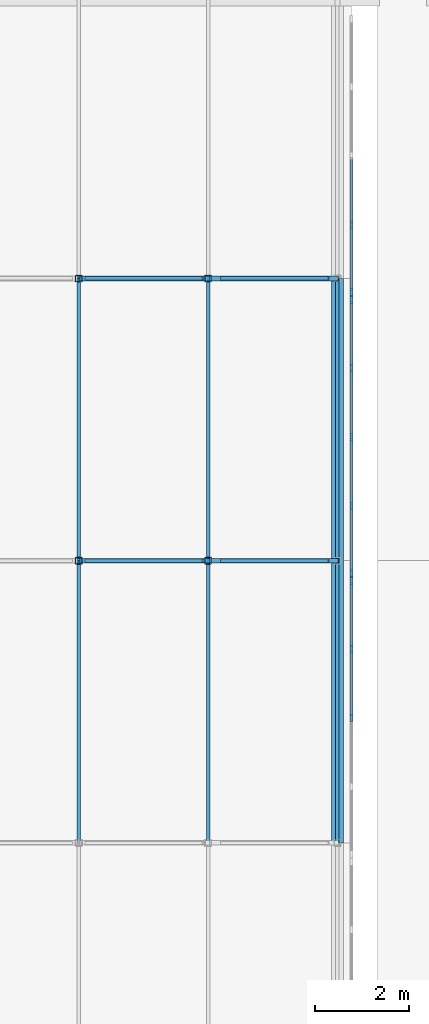
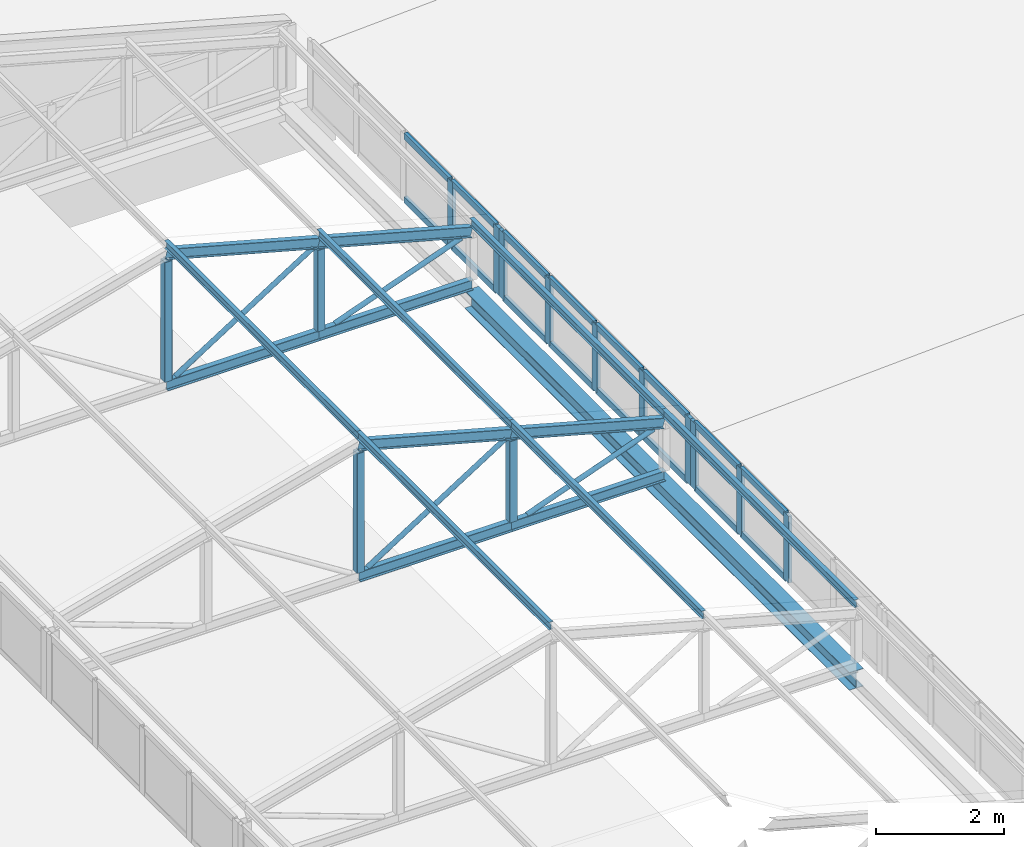
# One storey, part 58 of 94: 48 members, 1 beam, 3 elements without a shape of their own.
"""IFC4 building model written with IfcOpenShell, lengths in metres."""

import ifcopenshell
import ifcopenshell.guid

model = None  # the IFC model being written
_history = None  # IfcOwnerHistory: only IFC2X3 demands one
_inside = {}  # id of a spatial element -> (the spatial element, [elements in it])
_under = {}  # id of a project, library or spatial element -> (it, [spatial elements below it])
_declared = {}  # id of a project -> (the project, [libraries it declares])
_typed = {}  # id of a type object -> (the type object, [elements of that type])
_made_of = {}  # id of a material, layer set ... -> (it, [elements and type objects made of it])


def new_model(schema):
    """Start an empty IFC model of exactly this schema.

    Asked for "IFC4X3", IfcOpenShell would pick the latest addendum, in which some entities
    have other attributes; the version numbers below select the first issue.
    IFC2X3 requires an IfcOwnerHistory on every rooted entity: one is made here for all.
    """
    global model, _history
    if schema == "IFC4X3":
        model = ifcopenshell.file(schema_version=(4, 3, 0, 0))
    else:
        model = ifcopenshell.file(schema=schema)
    _inside.clear()
    _under.clear()
    _declared.clear()
    _typed.clear()
    _made_of.clear()
    _history = None
    if model.schema == "IFC2X3":
        org = make("IfcOrganization", Name="unknown")
        user = make(
            "IfcPersonAndOrganization",
            ThePerson=make("IfcPerson", FamilyName="unknown"),
            TheOrganization=org,
        )
        app = make(
            "IfcApplication",
            ApplicationDeveloper=org,
            Version="unknown",
            ApplicationFullName="unknown",
            ApplicationIdentifier="unknown",
        )
        _history = make(
            "IfcOwnerHistory",
            OwningUser=user,
            OwningApplication=app,
            ChangeAction="ADDED",
            CreationDate=0,
        )
    return model


def make(cls, **values):
    """One entity of the class cls with the attributes given. An attribute that is None is left unset."""
    return model.create_entity(
        cls, **{name: value for name, value in values.items() if value is not None}
    )


def rooted(cls, **values):
    """An entity with a GlobalId (a new one), such as an element, a storey or a relation."""
    return make(cls, GlobalId=ifcopenshell.guid.new(), OwnerHistory=_history, **values)


def si_unit(unit_type, name, prefix=None):
    """IfcSIUnit, for example si_unit("LENGTHUNIT", "METRE", prefix="MILLI")."""
    return make("IfcSIUnit", UnitType=unit_type, Prefix=prefix, Name=name)


def assignment(units):
    """IfcUnitAssignment: the units of a project."""
    return None if units is None else make("IfcUnitAssignment", Units=units)


def point(xyz):
    """IfcCartesianPoint."""
    return None if xyz is None else make("IfcCartesianPoint", Coordinates=xyz)


def direction(xyz):
    """IfcDirection."""
    return None if xyz is None else make("IfcDirection", DirectionRatios=xyz)


def frame(location, z_axis=None, x_axis=None):
    """IfcAxis2Placement3D, a coordinate frame: its origin and axes. An axis left out is left unset."""
    return make(
        "IfcAxis2Placement3D",
        Location=point(location),
        Axis=direction(z_axis),
        RefDirection=direction(x_axis),
    )


def frame_2d(location, x_axis=None):
    """IfcAxis2Placement2D, a coordinate frame in the plane: its origin and x axis."""
    return make(
        "IfcAxis2Placement2D", Location=point(location), RefDirection=direction(x_axis)
    )


def origin():
    """The frame at (0, 0, 0) with its axes left unset."""
    return frame((0.0, 0.0, 0.0))


def origin_2d():
    """The frame at (0, 0) in the plane with its x axis left unset."""
    return frame_2d((0.0, 0.0))


def place(relative_to, where):
    """IfcLocalPlacement: puts the frame where relative to a parent placement (None: the world)."""
    return make(
        "IfcLocalPlacement", PlacementRelTo=relative_to, RelativePlacement=where
    )


def context(
    kind, dimensions, precision=None, world=None, true_north=None, identifier=None
):
    """IfcGeometricRepresentationContext, for example the 3D "Model" context."""
    return make(
        "IfcGeometricRepresentationContext",
        ContextIdentifier=identifier,
        ContextType=kind,
        CoordinateSpaceDimension=dimensions,
        Precision=precision,
        WorldCoordinateSystem=world,
        TrueNorth=true_north,
    )


def subcontext(parent, identifier, kind, view, scale=None):
    """IfcGeometricRepresentationSubContext, for example "Body" below "Model"."""
    return make(
        "IfcGeometricRepresentationSubContext",
        ContextIdentifier=identifier,
        ContextType=kind,
        ParentContext=parent,
        TargetScale=scale,
        TargetView=view,
    )


def project(units=None, contexts=None):
    """IfcProject with its units and contexts."""
    return rooted(
        "IfcProject",
        Name="project",
        RepresentationContexts=contexts,
        UnitsInContext=assignment(units),
    )


def spatial(cls, under=None, at=None, **own):
    """A site, building, storey or space (cls), placed at a placement, below another one or the project."""
    s = rooted(cls, ObjectPlacement=at, **own)
    if under is not None:
        _under.setdefault(under.id(), (under, []))[1].append(s)
    return s


def profile(cls, at=None, kind="AREA", **sizes):
    """A parametric profile (cls). Its sizes go by their IFC names, for example OverallWidth=200.0."""
    return make(cls, ProfileType=kind, Position=at, **sizes)


def rectangle(**sizes):
    """IfcRectangleProfileDef."""
    return profile("IfcRectangleProfileDef", **sizes)


def hollow_rectangle(**sizes):
    """IfcRectangleHollowProfileDef."""
    return profile("IfcRectangleHollowProfileDef", **sizes)


def hollow_circle(**sizes):
    """IfcCircleHollowProfileDef."""
    return profile("IfcCircleHollowProfileDef", **sizes)


def i_section(**sizes):
    """IfcIShapeProfileDef."""
    return profile("IfcIShapeProfileDef", **sizes)


def extrude(swept, where, along, depth):
    """IfcExtrudedAreaSolid: the profile swept, set in the frame where, extruded along a direction by depth."""
    return make(
        "IfcExtrudedAreaSolid",
        SweptArea=swept,
        Position=where,
        ExtrudedDirection=direction(along),
        Depth=depth,
    )


def shape(context_of_items, identifier, shape_type, items):
    """IfcShapeRepresentation: the items that make up one representation, for example the "Body"."""
    return make(
        "IfcShapeRepresentation",
        ContextOfItems=context_of_items,
        RepresentationIdentifier=identifier,
        RepresentationType=shape_type,
        Items=items,
    )


def material(Name=None, Category=None):
    """IfcMaterial."""
    return make("IfcMaterial", Name=Name, Category=Category)


def layer(
    of_material, thickness, ventilated=None, Name=None, Category=None, Priority=None
):
    """IfcMaterialLayer: one layer of a wall or slab, of a material (None: an air gap)."""
    return make(
        "IfcMaterialLayer",
        Material=of_material,
        LayerThickness=thickness,
        IsVentilated=ventilated,
        Name=Name,
        Category=Category,
        Priority=Priority,
    )


def layer_set(layers, Name=None):
    """IfcMaterialLayerSet."""
    return make("IfcMaterialLayerSet", MaterialLayers=layers, LayerSetName=Name)


def material_profile(
    of_material, cross_section, Name=None, Category=None, Priority=None
):
    """IfcMaterialProfile: a cross section and its material."""
    return make(
        "IfcMaterialProfile",
        Name=Name,
        Material=of_material,
        Profile=cross_section,
        Priority=Priority,
        Category=Category,
    )


def profile_set(profiles, Name=None, composite=None):
    """IfcMaterialProfileSet."""
    return make(
        "IfcMaterialProfileSet",
        Name=Name,
        MaterialProfiles=profiles,
        CompositeProfile=composite,
    )


def made_of(thing, what):
    """Note that an element or type object is made of a material, layer set ...; save() writes the relation."""
    if what is not None:
        _made_of.setdefault(what.id(), (what, []))[1].append(thing)
    return thing


def type_object(cls, material=None, **own):
    """A type object (cls), such as IfcWallType, which elements share."""
    return made_of(rooted(cls, **own), material)


def element(
    cls,
    number,
    at=None,
    inside=None,
    cuts=None,
    type_object=None,
    material=None,
    context=None,
    identifier="Body",
    shape_type=None,
    held_by="IfcProductDefinitionShape",
    body=None,
    shapes=None,
    **own,
):
    """One element of the class cls, such as IfcWall. Its Tag is "e" and its number.

    at: its placement. inside: the storey or other place that contains it. cuts: it is an
    opening in that element (IfcRelVoidsElement). A single representation is given by context,
    identifier, shape_type and body (its items); several are given by shapes. held_by: the class
    of the entity that holds the representations. save() writes the other relations.
    """
    e = rooted(cls, Tag="e%d" % number, ObjectPlacement=at, **own)
    if body is not None:
        shapes = [shape(context, identifier, shape_type, body)]
    if shapes is not None:
        e.Representation = make(held_by, Representations=shapes)
    if inside is not None:
        _inside.setdefault(inside.id(), (inside, []))[1].append(e)
    if cuts is not None:
        rooted(
            "IfcRelVoidsElement", RelatingBuildingElement=cuts, RelatedOpeningElement=e
        )
    if type_object is not None:
        _typed.setdefault(type_object.id(), (type_object, []))[1].append(e)
    return made_of(e, material)


def aggregate(whole, parts):
    """IfcRelAggregates: a whole, such as a stair, and the parts it consists of."""
    return rooted("IfcRelAggregates", RelatingObject=whole, RelatedObjects=parts)


def save(model, path):
    """Write the relations noted so far, then the file.

    IfcRelAggregates (storeys below a building ...), IfcRelContainedInSpatialStructure (elements
    in a storey), IfcRelDefinesByType, IfcRelAssociatesMaterial and IfcRelDeclares: one each for
    every whole, place, type object, material and project.
    """
    for whole, parts in _under.values():
        aggregate(whole, parts)
    for where, things in _inside.values():
        rooted(
            "IfcRelContainedInSpatialStructure",
            RelatedElements=things,
            RelatingStructure=where,
        )
    for kind, things in _typed.values():
        rooted("IfcRelDefinesByType", RelatedObjects=things, RelatingType=kind)
    for what, things in _made_of.values():
        rooted("IfcRelAssociatesMaterial", RelatedObjects=things, RelatingMaterial=what)
    for by, libraries in _declared.values():
        rooted("IfcRelDeclares", RelatingContext=by, RelatedDefinitions=libraries)
    model.write(path)


model = new_model("IFC4")

# Units and contexts
model_context = context("Model", 3, precision=1e-05, world=origin(), true_north=direction((0.0, 1.0)))
body_context = subcontext(model_context, "Body", "Model", "MODEL_VIEW")
ifc_project = project(units=[si_unit("LENGTHUNIT", "METRE"), si_unit("AREAUNIT", "SQUARE_METRE"), si_unit("VOLUMEUNIT", "CUBIC_METRE"), si_unit("PLANEANGLEUNIT", "RADIAN"), si_unit("MASSUNIT", "GRAM", prefix="KILO")], contexts=[model_context])

# Site, building, storey
site_placement = place(None, origin())
site = spatial("IfcSite", under=ifc_project, at=site_placement, CompositionType="ELEMENT")
building_placement = place(site_placement, origin())
building = spatial("IfcBuilding", under=site, at=building_placement, Name="Lilac Gate Convention Centre", CompositionType="ELEMENT")
storey_placement = place(building_placement, frame((0.0, 0.0, 21.0)))
storey = spatial("IfcBuildingStorey", under=building, at=storey_placement, Name="L04", CompositionType="ELEMENT", Elevation=21.0)

# Curtain wall, members
ifc_material_1 = material(Name="Aluminium framed double glazing", Category="aluminium")
ifc_layer = layer(ifc_material_1, 0.199951171875)
ifc_layer_set = layer_set([ifc_layer], Name="Aluminium framed double glazing")
curtain_wall_type = type_object("IfcCurtainWallType", Name="Unitised curtain wall 1500", PredefinedType="NOTDEFINED", material=ifc_layer_set)
curtain_wall_1_placement = place(storey_placement, origin())
curtain_wall_1 = element("IfcCurtainWall", 1, at=curtain_wall_1_placement, inside=storey, type_object=curtain_wall_type, Name="Lantern clerestory E 30", PredefinedType="NOTDEFINED")
ifc_material_2 = material(Name="Aluminium alloy 6063", Category="aluminium")
ifc_material_profile_1 = material_profile(ifc_material_2, rectangle(XDim=0.06005859375, YDim=0.159912109375, at=origin_2d()), Name="Curtain wall mullion 60 x 160")
ifc_profile_set_1 = profile_set([ifc_material_profile_1], Name="Aluminium alloy 6063")
member_type_1 = type_object("IfcMemberType", Name="Curtain wall mullion 60 x 160", PredefinedType="MULLION", material=ifc_profile_set_1)
member_1_placement = place(storey_placement, frame((28.89990234375, 206.66259765625, 0.0), z_axis=(0.0, 0.0, 1.0), x_axis=(-1.0, 0.0, 0.0)))
member_1 = element("IfcMember", 2, at=member_1_placement, type_object=member_type_1, Name="CW mullion 3", PredefinedType="MULLION", context=body_context, shape_type="SweptSolid", body=[
    extrude(rectangle(XDim=0.06005859375, YDim=0.159912109375, at=origin_2d()), origin(), (0.0, 0.0, 1.0), 1.272216796875),
])
member_2_placement = place(storey_placement, frame((28.89990234375, 208.13134765625, 0.0), z_axis=(0.0, 0.0, 1.0), x_axis=(-1.0, 0.0, 0.0)))
member_2 = element("IfcMember", 3, at=member_2_placement, type_object=member_type_1, Name="CW mullion 4", PredefinedType="MULLION", context=body_context, shape_type="SweptSolid", body=[
    extrude(rectangle(XDim=0.06005859375, YDim=0.159912109375, at=origin_2d()), origin(), (0.0, 0.0, 1.0), 1.272216796875),
])
member_3_placement = place(storey_placement, frame((28.89990234375, 209.570068359375, 0.0), z_axis=(0.0, 0.0, 1.0), x_axis=(-1.0, 0.0, 0.0)))
member_3 = element("IfcMember", 4, at=member_3_placement, type_object=member_type_1, Name="CW mullion 5", PredefinedType="MULLION", context=body_context, shape_type="SweptSolid", body=[
    extrude(rectangle(XDim=0.06005859375, YDim=0.159912109375, at=origin_2d()), origin(), (0.0, 0.0, 1.0), 1.272216796875),
])

curtain_wall_2_placement = place(storey_placement, origin())
curtain_wall_2 = element("IfcCurtainWall", 5, at=curtain_wall_2_placement, inside=storey, type_object=curtain_wall_type, Name="Lantern clerestory E 31", PredefinedType="NOTDEFINED")
member_4_placement = place(storey_placement, frame((28.89990234375, 209.72998046875, 0.0), z_axis=(0.0, 0.0, 1.0), x_axis=(-1.0, 0.0, 0.0)))
member_4 = element("IfcMember", 6, at=member_4_placement, type_object=member_type_1, Name="CW mullion 1", PredefinedType="MULLION", context=body_context, shape_type="SweptSolid", body=[
    extrude(rectangle(XDim=0.06005859375, YDim=0.159912109375, at=origin_2d()), origin(), (0.0, 0.0, 1.0), 1.272216796875),
])
member_5_placement = place(storey_placement, frame((28.89990234375, 211.168701171875, 0.0), z_axis=(0.0, 0.0, 1.0), x_axis=(-1.0, 0.0, 0.0)))
member_5 = element("IfcMember", 7, at=member_5_placement, type_object=member_type_1, Name="CW mullion 2", PredefinedType="MULLION", context=body_context, shape_type="SweptSolid", body=[
    extrude(rectangle(XDim=0.06005859375, YDim=0.159912109375, at=origin_2d()), origin(), (0.0, 0.0, 1.0), 1.272216796875),
])
member_6_placement = place(storey_placement, frame((28.89990234375, 212.637451171875, 0.0), z_axis=(0.0, 0.0, 1.0), x_axis=(-1.0, 0.0, 0.0)))
member_6 = element("IfcMember", 8, at=member_6_placement, type_object=member_type_1, Name="CW mullion 3", PredefinedType="MULLION", context=body_context, shape_type="SweptSolid", body=[
    extrude(rectangle(XDim=0.06005859375, YDim=0.159912109375, at=origin_2d()), origin(), (0.0, 0.0, 1.0), 1.272216796875),
])
member_7_placement = place(storey_placement, frame((28.89990234375, 214.106201171875, 0.0), z_axis=(0.0, 0.0, 1.0), x_axis=(-1.0, 0.0, 0.0)))
member_7 = element("IfcMember", 9, at=member_7_placement, type_object=member_type_1, Name="CW mullion 4", PredefinedType="MULLION", context=body_context, shape_type="SweptSolid", body=[
    extrude(rectangle(XDim=0.06005859375, YDim=0.159912109375, at=origin_2d()), origin(), (0.0, 0.0, 1.0), 1.272216796875),
])
member_8_placement = place(storey_placement, frame((28.89990234375, 215.544921875, 0.0), z_axis=(0.0, 0.0, 1.0), x_axis=(-1.0, 0.0, 0.0)))
member_8 = element("IfcMember", 10, at=member_8_placement, type_object=member_type_1, Name="CW mullion 5", PredefinedType="MULLION", context=body_context, shape_type="SweptSolid", body=[
    extrude(rectangle(XDim=0.06005859375, YDim=0.159912109375, at=origin_2d()), origin(), (0.0, 0.0, 1.0), 1.272216796875),
])

curtain_wall_3_placement = place(storey_placement, origin())
curtain_wall_3 = element("IfcCurtainWall", 11, at=curtain_wall_3_placement, inside=storey, type_object=curtain_wall_type, Name="Lantern clerestory E 32", PredefinedType="NOTDEFINED")
member_9_placement = place(storey_placement, frame((28.89990234375, 215.705078125, 0.0), z_axis=(0.0, 0.0, 1.0), x_axis=(-1.0, 0.0, 0.0)))
member_9 = element("IfcMember", 12, at=member_9_placement, type_object=member_type_1, Name="CW mullion 1", PredefinedType="MULLION", context=body_context, shape_type="SweptSolid", body=[
    extrude(rectangle(XDim=0.06005859375, YDim=0.159912109375, at=origin_2d()), origin(), (0.0, 0.0, 1.0), 1.272216796875),
])
member_10_placement = place(storey_placement, frame((28.89990234375, 217.143798828125, 0.0), z_axis=(0.0, 0.0, 1.0), x_axis=(-1.0, 0.0, 0.0)))
member_10 = element("IfcMember", 13, at=member_10_placement, type_object=member_type_1, Name="CW mullion 2", PredefinedType="MULLION", context=body_context, shape_type="SweptSolid", body=[
    extrude(rectangle(XDim=0.06005859375, YDim=0.159912109375, at=origin_2d()), origin(), (0.0, 0.0, 1.0), 1.272216796875),
])

# Member
ifc_material_profile_2 = material_profile(ifc_material_2, rectangle(XDim=0.06005859375, YDim=0.1201171875, at=origin_2d()), Name="Curtain wall transom 60 x 120")
ifc_profile_set_2 = profile_set([ifc_material_profile_2], Name="Aluminium alloy 6063")
member_type_2 = type_object("IfcMemberType", Name="Curtain wall transom 60 x 120", PredefinedType="USERDEFINED", material=ifc_profile_set_2)
member_11_placement = place(storey_placement, frame((28.89990234375, 206.692626953125, 0.030029296875), z_axis=(0.0, 1.0, 0.0), x_axis=(-1.0, 0.0, 0.0)))
member_11 = element("IfcMember", 14, at=member_11_placement, type_object=member_type_2, Name="CW transom 3.1", ObjectType="TRANSOM", PredefinedType="USERDEFINED", context=body_context, shape_type="SweptSolid", body=[
    extrude(rectangle(XDim=0.06005859375, YDim=0.1201171875, at=origin_2d()), origin(), (0.0, 0.0, 1.0), 1.40869140625),
])

member_12_placement = place(storey_placement, frame((28.89990234375, 206.692626953125, 1.2421875), z_axis=(0.0, 1.0, 0.0), x_axis=(-1.0, 0.0, 0.0)))
member_12 = element("IfcMember", 15, at=member_12_placement, type_object=member_type_2, Name="CW transom 3.2", ObjectType="TRANSOM", PredefinedType="USERDEFINED", context=body_context, shape_type="SweptSolid", body=[
    extrude(rectangle(XDim=0.06005859375, YDim=0.1201171875, at=origin_2d()), origin(), (0.0, 0.0, 1.0), 1.40869140625),
])

member_13_placement = place(storey_placement, frame((28.89990234375, 208.161376953125, 0.030029296875), z_axis=(0.0, 1.0, 0.0), x_axis=(-1.0, 0.0, 0.0)))
member_13 = element("IfcMember", 16, at=member_13_placement, type_object=member_type_2, Name="CW transom 4.1", ObjectType="TRANSOM", PredefinedType="USERDEFINED", context=body_context, shape_type="SweptSolid", body=[
    extrude(rectangle(XDim=0.06005859375, YDim=0.1201171875, at=origin_2d()), origin(), (0.0, 0.0, 1.0), 1.378662109375),
])

member_14_placement = place(storey_placement, frame((28.89990234375, 208.161376953125, 1.2421875), z_axis=(0.0, 1.0, 0.0), x_axis=(-1.0, 0.0, 0.0)))
member_14 = element("IfcMember", 17, at=member_14_placement, type_object=member_type_2, Name="CW transom 4.2", ObjectType="TRANSOM", PredefinedType="USERDEFINED", context=body_context, shape_type="SweptSolid", body=[
    extrude(rectangle(XDim=0.06005859375, YDim=0.1201171875, at=origin_2d()), origin(), (0.0, 0.0, 1.0), 1.378662109375),
])

aggregate(curtain_wall_1, [member_1, member_2, member_3, member_11, member_12, member_13, member_14])

member_15_placement = place(storey_placement, frame((28.89990234375, 209.760009765625, 0.030029296875), z_axis=(0.0, 1.0, 0.0), x_axis=(-1.0, 0.0, 0.0)))
member_15 = element("IfcMember", 18, at=member_15_placement, type_object=member_type_2, Name="CW transom 1.1", ObjectType="TRANSOM", PredefinedType="USERDEFINED", context=body_context, shape_type="SweptSolid", body=[
    extrude(rectangle(XDim=0.06005859375, YDim=0.1201171875, at=origin_2d()), origin(), (0.0, 0.0, 1.0), 1.378662109375),
])

member_16_placement = place(storey_placement, frame((28.89990234375, 209.760009765625, 1.2421875), z_axis=(0.0, 1.0, 0.0), x_axis=(-1.0, 0.0, 0.0)))
member_16 = element("IfcMember", 19, at=member_16_placement, type_object=member_type_2, Name="CW transom 1.2", ObjectType="TRANSOM", PredefinedType="USERDEFINED", context=body_context, shape_type="SweptSolid", body=[
    extrude(rectangle(XDim=0.06005859375, YDim=0.1201171875, at=origin_2d()), origin(), (0.0, 0.0, 1.0), 1.378662109375),
])

member_17_placement = place(storey_placement, frame((28.89990234375, 211.19873046875, 0.030029296875), z_axis=(0.0, 1.0, 0.0), x_axis=(-1.0, 0.0, 0.0)))
member_17 = element("IfcMember", 20, at=member_17_placement, type_object=member_type_2, Name="CW transom 2.1", ObjectType="TRANSOM", PredefinedType="USERDEFINED", context=body_context, shape_type="SweptSolid", body=[
    extrude(rectangle(XDim=0.06005859375, YDim=0.1201171875, at=origin_2d()), origin(), (0.0, 0.0, 1.0), 1.40869140625),
])

member_18_placement = place(storey_placement, frame((28.89990234375, 211.19873046875, 1.2421875), z_axis=(0.0, 1.0, 0.0), x_axis=(-1.0, 0.0, 0.0)))
member_18 = element("IfcMember", 21, at=member_18_placement, type_object=member_type_2, Name="CW transom 2.2", ObjectType="TRANSOM", PredefinedType="USERDEFINED", context=body_context, shape_type="SweptSolid", body=[
    extrude(rectangle(XDim=0.06005859375, YDim=0.1201171875, at=origin_2d()), origin(), (0.0, 0.0, 1.0), 1.40869140625),
])

member_19_placement = place(storey_placement, frame((28.89990234375, 212.66748046875, 0.030029296875), z_axis=(0.0, 1.0, 0.0), x_axis=(-1.0, 0.0, 0.0)))
member_19 = element("IfcMember", 22, at=member_19_placement, type_object=member_type_2, Name="CW transom 3.1", ObjectType="TRANSOM", PredefinedType="USERDEFINED", context=body_context, shape_type="SweptSolid", body=[
    extrude(rectangle(XDim=0.06005859375, YDim=0.1201171875, at=origin_2d()), origin(), (0.0, 0.0, 1.0), 1.40869140625),
])

member_20_placement = place(storey_placement, frame((28.89990234375, 212.66748046875, 1.2421875), z_axis=(0.0, 1.0, 0.0), x_axis=(-1.0, 0.0, 0.0)))
member_20 = element("IfcMember", 23, at=member_20_placement, type_object=member_type_2, Name="CW transom 3.2", ObjectType="TRANSOM", PredefinedType="USERDEFINED", context=body_context, shape_type="SweptSolid", body=[
    extrude(rectangle(XDim=0.06005859375, YDim=0.1201171875, at=origin_2d()), origin(), (0.0, 0.0, 1.0), 1.40869140625),
])

member_21_placement = place(storey_placement, frame((28.89990234375, 214.13623046875, 0.030029296875), z_axis=(0.0, 1.0, 0.0), x_axis=(-1.0, 0.0, 0.0)))
member_21 = element("IfcMember", 24, at=member_21_placement, type_object=member_type_2, Name="CW transom 4.1", ObjectType="TRANSOM", PredefinedType="USERDEFINED", context=body_context, shape_type="SweptSolid", body=[
    extrude(rectangle(XDim=0.06005859375, YDim=0.1201171875, at=origin_2d()), origin(), (0.0, 0.0, 1.0), 1.378662109375),
])

member_22_placement = place(storey_placement, frame((28.89990234375, 214.13623046875, 1.2421875), z_axis=(0.0, 1.0, 0.0), x_axis=(-1.0, 0.0, 0.0)))
member_22 = element("IfcMember", 25, at=member_22_placement, type_object=member_type_2, Name="CW transom 4.2", ObjectType="TRANSOM", PredefinedType="USERDEFINED", context=body_context, shape_type="SweptSolid", body=[
    extrude(rectangle(XDim=0.06005859375, YDim=0.1201171875, at=origin_2d()), origin(), (0.0, 0.0, 1.0), 1.378662109375),
])

aggregate(curtain_wall_2, [member_4, member_5, member_6, member_7, member_8, member_15, member_16, member_17, member_18, member_19, member_20, member_21, member_22])

member_23_placement = place(storey_placement, frame((28.89990234375, 215.735107421875, 0.030029296875), z_axis=(0.0, 1.0, 0.0), x_axis=(-1.0, 0.0, 0.0)))
member_23 = element("IfcMember", 26, at=member_23_placement, type_object=member_type_2, Name="CW transom 1.1", ObjectType="TRANSOM", PredefinedType="USERDEFINED", context=body_context, shape_type="SweptSolid", body=[
    extrude(rectangle(XDim=0.06005859375, YDim=0.1201171875, at=origin_2d()), origin(), (0.0, 0.0, 1.0), 1.378662109375),
])

member_24_placement = place(storey_placement, frame((28.89990234375, 215.735107421875, 1.2421875), z_axis=(0.0, 1.0, 0.0), x_axis=(-1.0, 0.0, 0.0)))
member_24 = element("IfcMember", 27, at=member_24_placement, type_object=member_type_2, Name="CW transom 1.2", ObjectType="TRANSOM", PredefinedType="USERDEFINED", context=body_context, shape_type="SweptSolid", body=[
    extrude(rectangle(XDim=0.06005859375, YDim=0.1201171875, at=origin_2d()), origin(), (0.0, 0.0, 1.0), 1.378662109375),
])

member_25_placement = place(storey_placement, frame((28.89990234375, 217.173828125, 0.030029296875), z_axis=(0.0, 1.0, 0.0), x_axis=(-1.0, 0.0, 0.0)))
member_25 = element("IfcMember", 28, at=member_25_placement, type_object=member_type_2, Name="CW transom 2.1", ObjectType="TRANSOM", PredefinedType="USERDEFINED", context=body_context, shape_type="SweptSolid", body=[
    extrude(rectangle(XDim=0.06005859375, YDim=0.1201171875, at=origin_2d()), origin(), (0.0, 0.0, 1.0), 1.40869140625),
])

member_26_placement = place(storey_placement, frame((28.89990234375, 217.173828125, 1.2421875), z_axis=(0.0, 1.0, 0.0), x_axis=(-1.0, 0.0, 0.0)))
member_26 = element("IfcMember", 29, at=member_26_placement, type_object=member_type_2, Name="CW transom 2.2", ObjectType="TRANSOM", PredefinedType="USERDEFINED", context=body_context, shape_type="SweptSolid", body=[
    extrude(rectangle(XDim=0.06005859375, YDim=0.1201171875, at=origin_2d()), origin(), (0.0, 0.0, 1.0), 1.40869140625),
])

aggregate(curtain_wall_3, [member_9, member_10, member_23, member_24, member_25, member_26])

# Members
ifc_material_3 = material(Name="Steel Q355B", Category="steel")
ifc_material_profile_3 = material_profile(ifc_material_3, i_section(OverallWidth=0.10009765625, OverallDepth=0.199951171875, WebThickness=0.005615234375, FlangeThickness=0.008056640625, FilletRadius=0.008056640625, at=origin_2d()), Name="HN200x100x5.5x8")
ifc_profile_set_3 = profile_set([ifc_material_profile_3], Name="Steel Q355B")
member_type_3 = type_object("IfcMemberType", Name="Lantern bottom chord HN200x100x5.5x8", PredefinedType="CHORD", material=ifc_profile_set_3)
for number, where, z_axis, x_axis, name in (
    (30, (23.10009765625, 210.0, 0.10009765625), (1.0, 0.0, 0.0), (0.0, 1.0, 0.0), "LB1 lantern truss 31 bottom chord 3"),
    (31, (25.85009765625, 210.0, 0.10009765625), (1.0, 0.0, 0.0), (0.0, 1.0, 0.0), "LB1 lantern truss 31 bottom chord 4"),
    (32, (23.10009765625, 216.0, 0.10009765625), (1.0, 0.0, 0.0), (0.0, 1.0, 0.0), "LB1 lantern truss 32 bottom chord 3"),
    (33, (25.85009765625, 216.0, 0.10009765625), (1.0, 0.0, 0.0), (0.0, 1.0, 0.0), "LB1 lantern truss 32 bottom chord 4"),
):
    element("IfcMember", number, at=place(storey_placement, frame(where, z_axis=z_axis, x_axis=x_axis)), inside=storey, type_object=member_type_3, Name=name, PredefinedType="CHORD", context=body_context, shape_type="SweptSolid", body=[
        extrude(i_section(OverallWidth=0.10009765625, OverallDepth=0.199951171875, WebThickness=0.005615234375, FlangeThickness=0.008056640625, FilletRadius=0.008056640625, at=origin_2d()), origin(), (0.0, 0.0, 1.0), 2.75),
    ])
ifc_material_profile_4 = material_profile(ifc_material_3, hollow_circle(Radius=0.04443359375, WallThickness=0.0048828125, at=origin_2d()), Name="CHS88.9x5")
ifc_profile_set_4 = profile_set([ifc_material_profile_4], Name="Steel Q355B")
member_type_4 = type_object("IfcMemberType", Name="Lantern diagonal CHS88.9x5", PredefinedType="BRACE", material=ifc_profile_set_4)
member_27_placement = place(storey_placement, frame((25.74169921875, 210.0, 1.781005859375), z_axis=(-0.843671728148, 0.0, -0.536859399773), x_axis=(0.0, -1.0, 0.0)))
element("IfcMember", 34, at=member_27_placement, inside=storey, type_object=member_type_4, Name="LW1 lantern truss 31 diagonal 3", PredefinedType="BRACE", context=body_context, shape_type="SweptSolid", body=[
    extrude(hollow_circle(Radius=0.04443359375, WallThickness=0.0048828125, at=origin_2d()), origin(), (0.0, 0.0, 1.0), 2.945068359375),
])
member_28_placement = place(storey_placement, frame((28.410400390625, 210.0, 1.031005859375), z_axis=(-0.939793423488, 0.0, -0.341743063087), x_axis=(0.0, -1.0, 0.0)))
element("IfcMember", 35, at=member_28_placement, inside=storey, type_object=member_type_4, Name="LW1 lantern truss 31 diagonal 4", PredefinedType="BRACE", context=body_context, shape_type="SweptSolid", body=[
    extrude(hollow_circle(Radius=0.04443359375, WallThickness=0.0048828125, at=origin_2d()), origin(), (0.0, 0.0, 1.0), 2.431884765625),
])
member_29_placement = place(storey_placement, frame((25.74169921875, 216.0, 1.781005859375), z_axis=(-0.843671728148, 0.0, -0.536859399773), x_axis=(0.0, -1.0, 0.0)))
element("IfcMember", 36, at=member_29_placement, inside=storey, type_object=member_type_4, Name="LW1 lantern truss 32 diagonal 3", PredefinedType="BRACE", context=body_context, shape_type="SweptSolid", body=[
    extrude(hollow_circle(Radius=0.04443359375, WallThickness=0.0048828125, at=origin_2d()), origin(), (0.0, 0.0, 1.0), 2.945068359375),
])
member_30_placement = place(storey_placement, frame((28.410400390625, 216.0, 1.031005859375), z_axis=(-0.939793423488, 0.0, -0.341743063087), x_axis=(0.0, -1.0, 0.0)))
element("IfcMember", 37, at=member_30_placement, inside=storey, type_object=member_type_4, Name="LW1 lantern truss 32 diagonal 4", PredefinedType="BRACE", context=body_context, shape_type="SweptSolid", body=[
    extrude(hollow_circle(Radius=0.04443359375, WallThickness=0.0048828125, at=origin_2d()), origin(), (0.0, 0.0, 1.0), 2.431884765625),
])
ifc_material_profile_5 = material_profile(ifc_material_3, hollow_rectangle(XDim=0.139892578125, YDim=0.139892578125, WallThickness=0.0048828125, InnerFilletRadius=0.0048828125, OuterFilletRadius=0.010009765625, at=origin_2d()), Name="SHS140x140x5")
ifc_profile_set_5 = profile_set([ifc_material_profile_5], Name="Steel Q355B")
member_type_5 = type_object("IfcMemberType", Name="Lantern post SHS140x140x5", PredefinedType="STRUT", material=ifc_profile_set_5)
member_31_placement = place(storey_placement, frame((23.10009765625, 210.0, 0.199951171875), z_axis=(0.0, 0.0, 1.0), x_axis=(1.0, 0.0, 0.0)))
element("IfcMember", 38, at=member_31_placement, inside=storey, type_object=member_type_5, Name="LV1 lantern truss 31 post 3", PredefinedType="STRUT", context=body_context, shape_type="SweptSolid", body=[
    extrude(hollow_rectangle(XDim=0.139892578125, YDim=0.139892578125, WallThickness=0.0048828125, InnerFilletRadius=0.0048828125, OuterFilletRadius=0.010009765625, at=origin_2d()), origin(), (0.0, 0.0, 1.0), 2.277099609375),
])
member_32_placement = place(storey_placement, frame((25.85009765625, 210.0, 0.199951171875), z_axis=(0.0, 0.0, 1.0), x_axis=(1.0, 0.0, 0.0)))
element("IfcMember", 39, at=member_32_placement, inside=storey, type_object=member_type_5, Name="LV1 lantern truss 31 post 4", PredefinedType="STRUT", context=body_context, shape_type="SweptSolid", body=[
    extrude(hollow_rectangle(XDim=0.139892578125, YDim=0.139892578125, WallThickness=0.0048828125, InnerFilletRadius=0.0048828125, OuterFilletRadius=0.010009765625, at=origin_2d()), origin(), (0.0, 0.0, 1.0), 1.546142578125),
])
member_33_placement = place(storey_placement, frame((23.10009765625, 216.0, 0.199951171875), z_axis=(0.0, 0.0, 1.0), x_axis=(1.0, 0.0, 0.0)))
element("IfcMember", 40, at=member_33_placement, inside=storey, type_object=member_type_5, Name="LV1 lantern truss 32 post 3", PredefinedType="STRUT", context=body_context, shape_type="SweptSolid", body=[
    extrude(hollow_rectangle(XDim=0.139892578125, YDim=0.139892578125, WallThickness=0.0048828125, InnerFilletRadius=0.0048828125, OuterFilletRadius=0.010009765625, at=origin_2d()), origin(), (0.0, 0.0, 1.0), 2.277099609375),
])
member_34_placement = place(storey_placement, frame((25.85009765625, 216.0, 0.199951171875), z_axis=(0.0, 0.0, 1.0), x_axis=(1.0, 0.0, 0.0)))
element("IfcMember", 41, at=member_34_placement, inside=storey, type_object=member_type_5, Name="LV1 lantern truss 32 post 4", PredefinedType="STRUT", context=body_context, shape_type="SweptSolid", body=[
    extrude(hollow_rectangle(XDim=0.139892578125, YDim=0.139892578125, WallThickness=0.0048828125, InnerFilletRadius=0.0048828125, OuterFilletRadius=0.010009765625, at=origin_2d()), origin(), (0.0, 0.0, 1.0), 1.546142578125),
])
ifc_material_profile_6 = material_profile(ifc_material_3, i_section(OverallWidth=0.074951171875, OverallDepth=0.14990234375, WebThickness=0.0048828125, FlangeThickness=0.007080078125, FilletRadius=0.008056640625, at=origin_2d()), Name="HN150x75x5x7")
ifc_profile_set_6 = profile_set([ifc_material_profile_6], Name="Steel Q355B")
member_type_6 = type_object("IfcMemberType", Name="Lantern purlin HN150x75x5x7", PredefinedType="PURLIN", material=ifc_profile_set_6)
for number, where, z_axis, x_axis, name in (
    (42, (23.10009765625, 204.0, 2.779052734375), (0.0, 1.0, 0.0), (-1.0, 0.0, 0.0), "LP1 lantern purlin bay 30 line 3"),
    (43, (23.10009765625, 210.0, 2.779052734375), (0.0, 1.0, 0.0), (-1.0, 0.0, 0.0), "LP1 lantern purlin bay 31 line 3"),
    (44, (25.85009765625, 204.0, 2.029052734375), (0.0, 1.0, 0.0), (-1.0, 0.0, 0.0), "LP1 lantern purlin bay 30 line 4"),
    (45, (25.85009765625, 210.0, 2.029052734375), (0.0, 1.0, 0.0), (-1.0, 0.0, 0.0), "LP1 lantern purlin bay 31 line 4"),
    (46, (28.60009765625, 204.0, 1.279052734375), (0.0, 1.0, 0.0), (-1.0, 0.0, 0.0), "LP1 lantern purlin bay 30 line 5"),
    (47, (28.60009765625, 210.0, 1.279052734375), (0.0, 1.0, 0.0), (-1.0, 0.0, 0.0), "LP1 lantern purlin bay 31 line 5"),
):
    element("IfcMember", number, at=place(storey_placement, frame(where, z_axis=z_axis, x_axis=x_axis)), inside=storey, type_object=member_type_6, Name=name, PredefinedType="PURLIN", context=body_context, shape_type="SweptSolid", body=[
        extrude(i_section(OverallWidth=0.074951171875, OverallDepth=0.14990234375, WebThickness=0.0048828125, FlangeThickness=0.007080078125, FilletRadius=0.008056640625, at=origin_2d()), origin(), (0.0, 0.0, 1.0), 6.0),
    ])
ifc_material_profile_7 = material_profile(ifc_material_3, i_section(OverallWidth=0.10009765625, OverallDepth=0.199951171875, WebThickness=0.005615234375, FlangeThickness=0.008056640625, FilletRadius=0.008056640625, at=origin_2d()), Name="HN200x100x5.5x8")
ifc_profile_set_7 = profile_set([ifc_material_profile_7], Name="Steel Q355B")
member_type_7 = type_object("IfcMemberType", Name="Lantern top chord HN200x100x5.5x8", PredefinedType="CHORD", material=ifc_profile_set_7)
for number, where, z_axis, x_axis, name in (
    (48, (23.10009765625, 210.0, 2.60009765625), (0.964763821238, 0.0, -0.263117405792), (0.0, 1.0, 0.0), "LT1 lantern truss 31 top chord 3"),
    (49, (25.85009765625, 210.0, 1.85009765625), (0.964763821238, 0.0, -0.263117405792), (0.0, 1.0, 0.0), "LT1 lantern truss 31 top chord 4"),
    (50, (23.10009765625, 216.0, 2.60009765625), (0.964763821238, 0.0, -0.263117405792), (0.0, 1.0, 0.0), "LT1 lantern truss 32 top chord 3"),
    (51, (25.85009765625, 216.0, 1.85009765625), (0.964763821238, 0.0, -0.263117405792), (0.0, 1.0, 0.0), "LT1 lantern truss 32 top chord 4"),
):
    element("IfcMember", number, at=place(storey_placement, frame(where, z_axis=z_axis, x_axis=x_axis)), inside=storey, type_object=member_type_7, Name=name, PredefinedType="CHORD", context=body_context, shape_type="SweptSolid", body=[
        extrude(i_section(OverallWidth=0.10009765625, OverallDepth=0.199951171875, WebThickness=0.005615234375, FlangeThickness=0.008056640625, FilletRadius=0.008056640625, at=origin_2d()), origin(), (0.0, 0.0, 1.0), 2.850341796875),
    ])

# Beam
ifc_material_profile_8 = material_profile(ifc_material_3, i_section(OverallWidth=0.25, OverallDepth=0.340087890625, WebThickness=0.009033203125, FlangeThickness=0.013916015625, FilletRadius=0.012939453125, at=origin_2d()), Name="HM340x250x9x14")
ifc_profile_set_8 = profile_set([ifc_material_profile_8], Name="Steel Q355B")
beam_type = type_object("IfcBeamType", Name="Steel edge beam HM340x250x9x14", PredefinedType="BEAM", material=ifc_profile_set_8)
beam_placement = place(storey_placement, frame((28.60009765625, 204.0, -0.169921875), z_axis=(0.0, 1.0, 0.0), x_axis=(-1.0, 0.0, 0.0)))
element("IfcBeam", 52, at=beam_placement, inside=storey, type_object=beam_type, Name="LE1 lantern edge beam 16", PredefinedType="BEAM", context=body_context, shape_type="SweptSolid", body=[
    extrude(i_section(OverallWidth=0.25, OverallDepth=0.340087890625, WebThickness=0.009033203125, FlangeThickness=0.013916015625, FilletRadius=0.012939453125, at=origin_2d()), origin(), (0.0, 0.0, 1.0), 12.0),
])

save(model, "model.ifc")
